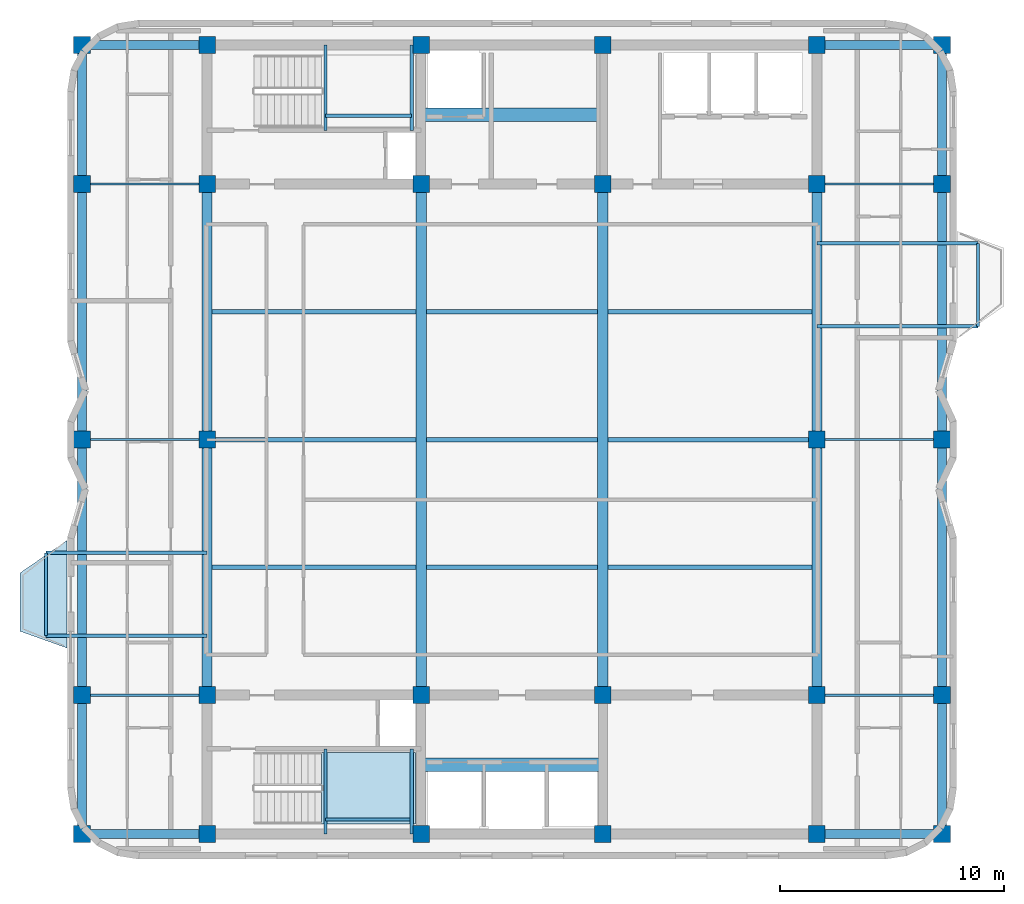
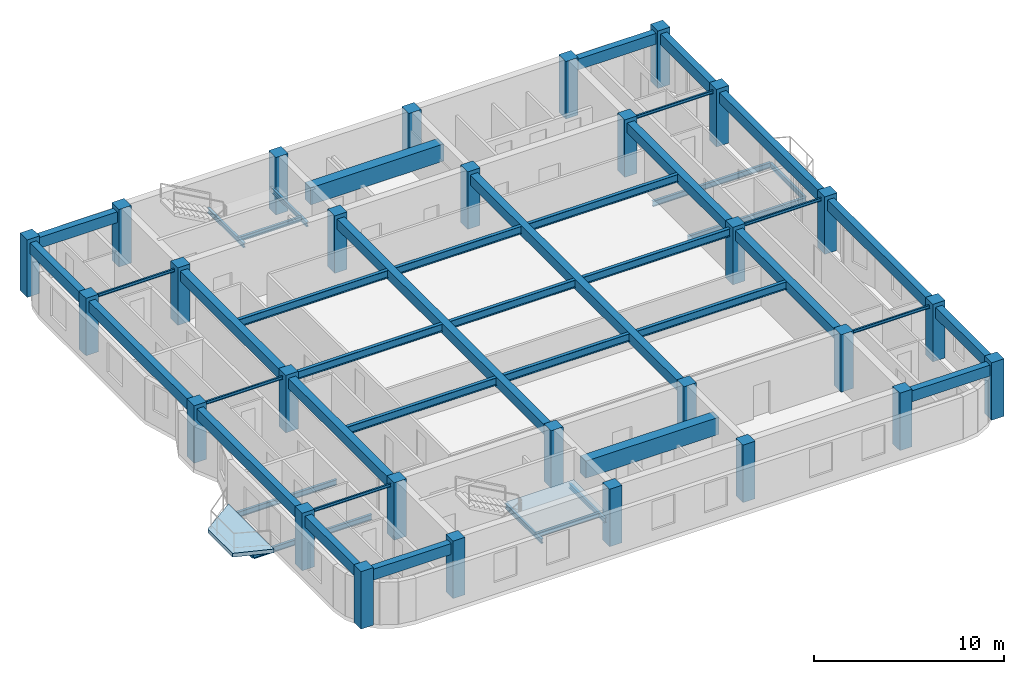
# One storey, part 1 of 8: 47 beams, 28 columns, 2 slabs, 1 element without a shape of its own.
"""IFC4 building model written with IfcOpenShell, lengths in metres."""

from ifc_helpers import new_model, si_unit, direction, frame, origin, origin_2d, place, context, subcontext, project, spatial, polyline, rectangle, i_section, outline, extrude, material, layer, layer_set, material_profile, profile_set, type_object, element, aggregate, save


model = new_model("IFC4")

# Units and contexts
model_context = context("Model", 3, precision=1e-05, world=origin(), true_north=direction((0.0, 1.0)))
body_context = subcontext(model_context, "Body", "Model", "MODEL_VIEW")
ifc_project = project(units=[si_unit("LENGTHUNIT", "METRE"), si_unit("AREAUNIT", "SQUARE_METRE"), si_unit("VOLUMEUNIT", "CUBIC_METRE"), si_unit("PLANEANGLEUNIT", "RADIAN"), si_unit("MASSUNIT", "GRAM", prefix="KILO")], contexts=[model_context])

# Site, building, storey
site_placement = place(None, origin())
site = spatial("IfcSite", under=ifc_project, at=site_placement, CompositionType="ELEMENT")
building_placement = place(site_placement, origin())
building = spatial("IfcBuilding", under=site, at=building_placement, Name="Svetorya Sky Lyceum", CompositionType="ELEMENT")
storey_placement = place(building_placement, frame((0.0, 0.0, 286.10009765625)))
storey = spatial("IfcBuildingStorey", under=building, at=storey_placement, Name="L72", CompositionType="ELEMENT", Elevation=286.10009765625)

# Columns
ifc_material_1 = material(Name="Concrete C40/50", Category="concrete")
ifc_material_profile_1 = material_profile(ifc_material_1, rectangle(XDim=0.75, YDim=0.75, at=origin_2d()), Name="RC COL 750x750")
ifc_profile_set_1 = profile_set([ifc_material_profile_1], Name="Concrete C40/50")
column_type = type_object("IfcColumnType", Name="COL-RC-750", PredefinedType="COLUMN", material=ifc_profile_set_1)
for number, where, z_axis, x_axis, name in (
    (1, (25.60009765625, 10.60009765625, 0.0), (0.0, 0.0, 1.0), (1.0, 0.0, 0.0), "L72 Core Column CS-11"),
    (2, (25.60009765625, 16.800048828125, 0.0), (0.0, 0.0, 1.0), (1.0, 0.0, 0.0), "L72 Core Column CS-12"),
    (3, (35.14990234375, 10.60009765625, 0.0), (0.0, 0.0, 1.0), (1.0, 0.0, 0.0), "L72 Core Column CS-21"),
    (4, (35.14990234375, 16.800048828125, 0.0), (0.0, 0.0, 1.0), (1.0, 0.0, 0.0), "L72 Core Column CS-22"),
    (5, (43.25, 10.60009765625, 0.0), (0.0, 0.0, 1.0), (1.0, 0.0, 0.0), "L72 Core Column CS-31"),
    (6, (43.25, 16.800048828125, 0.0), (0.0, 0.0, 1.0), (1.0, 0.0, 0.0), "L72 Core Column CS-32"),
    (7, (52.800048828125, 10.60009765625, 0.0), (0.0, 0.0, 1.0), (1.0, 0.0, 0.0), "L72 Core Column CS-41"),
    (8, (52.800048828125, 16.800048828125, 0.0), (0.0, 0.0, 1.0), (1.0, 0.0, 0.0), "L72 Core Column CS-42"),
    (9, (25.60009765625, 39.60009765625, 0.0), (0.0, 0.0, 1.0), (1.0, 0.0, 0.0), "L72 Core Column CN-11"),
    (10, (25.60009765625, 45.800048828125, 0.0), (0.0, 0.0, 1.0), (1.0, 0.0, 0.0), "L72 Core Column CN-12"),
    (11, (35.14990234375, 39.60009765625, 0.0), (0.0, 0.0, 1.0), (1.0, 0.0, 0.0), "L72 Core Column CN-21"),
    (12, (35.14990234375, 45.800048828125, 0.0), (0.0, 0.0, 1.0), (1.0, 0.0, 0.0), "L72 Core Column CN-22"),
    (13, (43.25, 39.60009765625, 0.0), (0.0, 0.0, 1.0), (1.0, 0.0, 0.0), "L72 Core Column CN-31"),
    (14, (43.25, 45.800048828125, 0.0), (0.0, 0.0, 1.0), (1.0, 0.0, 0.0), "L72 Core Column CN-32"),
    (15, (52.800048828125, 39.60009765625, 0.0), (0.0, 0.0, 1.0), (1.0, 0.0, 0.0), "L72 Core Column CN-41"),
    (16, (52.800048828125, 45.800048828125, 0.0), (0.0, 0.0, 1.0), (1.0, 0.0, 0.0), "L72 Core Column CN-42"),
    (17, (25.60009765625, 28.199951171875, 0.0), (0.0, 0.0, 1.0), (1.0, 0.0, 0.0), "L72 Core Column CM-W"),
    (18, (52.800048828125, 28.199951171875, 0.0), (0.0, 0.0, 1.0), (1.0, 0.0, 0.0), "L72 Core Column CM-E"),
    (19, (20.010009765625, 10.60009765625, 0.0), (0.0, 0.0, 1.0), (1.0, 0.0, 0.0), "L72 Perimeter Column W1"),
    (20, (58.389892578125, 10.60009765625, 0.0), (0.0, 0.0, 1.0), (1.0, 0.0, 0.0), "L72 Perimeter Column E1"),
    (21, (20.010009765625, 16.800048828125, 0.0), (0.0, 0.0, 1.0), (1.0, 0.0, 0.0), "L72 Perimeter Column W2"),
    (22, (58.389892578125, 16.800048828125, 0.0), (0.0, 0.0, 1.0), (1.0, 0.0, 0.0), "L72 Perimeter Column E2"),
    (23, (20.010009765625, 28.199951171875, 0.0), (0.0, 0.0, 1.0), (1.0, 0.0, 0.0), "L72 Perimeter Column W3"),
    (24, (58.389892578125, 28.199951171875, 0.0), (0.0, 0.0, 1.0), (1.0, 0.0, 0.0), "L72 Perimeter Column E3"),
    (25, (20.010009765625, 39.60009765625, 0.0), (0.0, 0.0, 1.0), (1.0, 0.0, 0.0), "L72 Perimeter Column W4"),
    (26, (58.389892578125, 39.60009765625, 0.0), (0.0, 0.0, 1.0), (1.0, 0.0, 0.0), "L72 Perimeter Column E4"),
    (27, (20.010009765625, 45.800048828125, 0.0), (0.0, 0.0, 1.0), (1.0, 0.0, 0.0), "L72 Perimeter Column W5"),
    (28, (58.389892578125, 45.800048828125, 0.0), (0.0, 0.0, 1.0), (1.0, 0.0, 0.0), "L72 Perimeter Column E5"),
):
    element("IfcColumn", number, at=place(storey_placement, frame(where, z_axis=z_axis, x_axis=x_axis)), inside=storey, type_object=column_type, Name=name, PredefinedType="COLUMN", context=body_context, shape_type="SweptSolid", body=[
        extrude(rectangle(XDim=0.75, YDim=0.75, at=origin_2d()), origin(), (0.0, 0.0, 1.0), 3.699951171875),
    ])

# Beams
ifc_material_2 = material(Name="Concrete C60/75", Category="concrete")
ifc_material_profile_2 = material_profile(ifc_material_2, rectangle(XDim=0.60009765625, YDim=1.10009765625, at=origin_2d()), Name="RC COUPLING 600x1100")
ifc_profile_set_2 = profile_set([ifc_material_profile_2], Name="Concrete C60/75")
beam_type_1 = type_object("IfcBeamType", Name="BM-CPL-1100", PredefinedType="LINTEL", material=ifc_profile_set_2)
for number, where, z_axis, x_axis, name in (
    (29, (35.14990234375, 13.699951171875, 2.89990234375), (1.0, 0.0, 0.0), (0.0, 1.0, 0.0), "L72 SC Core Coupling Beam"),
    (30, (35.14990234375, 42.699951171875, 2.89990234375), (1.0, 0.0, 0.0), (0.0, 1.0, 0.0), "L72 NC Core Coupling Beam"),
):
    element("IfcBeam", number, at=place(storey_placement, frame(where, z_axis=z_axis, x_axis=x_axis)), inside=storey, type_object=beam_type_1, Name=name, PredefinedType="LINTEL", context=body_context, shape_type="SweptSolid", body=[
        extrude(rectangle(XDim=0.60009765625, YDim=1.10009765625, at=origin_2d()), origin(), (0.0, 0.0, 1.0), 8.10009765625),
    ])
ifc_material_profile_3 = material_profile(ifc_material_1, rectangle(XDim=0.449951171875, YDim=0.64990234375, at=origin_2d()), Name="RC BEAM 450x650")
ifc_profile_set_3 = profile_set([ifc_material_profile_3], Name="Concrete C40/50")
beam_type_2 = type_object("IfcBeamType", Name="BM-RC-650", PredefinedType="BEAM", material=ifc_profile_set_3)
beam_1_placement = place(storey_placement, frame((25.60009765625, 16.800048828125, 3.125), z_axis=(0.0, 1.0, 0.0), x_axis=(-1.0, 0.0, 0.0)))
element("IfcBeam", 31, at=beam_1_placement, inside=storey, type_object=beam_type_2, Name="L72 Central Bay Primary Girder CG-1A", PredefinedType="BEAM", context=body_context, shape_type="SweptSolid", body=[
    extrude(rectangle(XDim=0.449951171875, YDim=0.64990234375, at=origin_2d()), origin(), (0.0, 0.0, 1.0), 11.39990234375),
])
beam_2_placement = place(storey_placement, frame((25.60009765625, 28.199951171875, 3.125), z_axis=(0.0, 1.0, 0.0), x_axis=(-1.0, 0.0, 0.0)))
element("IfcBeam", 32, at=beam_2_placement, inside=storey, type_object=beam_type_2, Name="L72 Central Bay Primary Girder CG-1B", PredefinedType="BEAM", context=body_context, shape_type="SweptSolid", body=[
    extrude(rectangle(XDim=0.449951171875, YDim=0.64990234375, at=origin_2d()), origin(), (0.0, 0.0, 1.0), 11.400146484375),
])
for number, where, z_axis, x_axis, name in (
    (33, (35.14990234375, 16.800048828125, 3.125), (0.0, 1.0, 0.0), (-1.0, 0.0, 0.0), "L72 Central Bay Primary Girder CG-2"),
    (34, (43.25, 16.800048828125, 3.125), (0.0, 1.0, 0.0), (-1.0, 0.0, 0.0), "L72 Central Bay Primary Girder CG-3"),
):
    element("IfcBeam", number, at=place(storey_placement, frame(where, z_axis=z_axis, x_axis=x_axis)), inside=storey, type_object=beam_type_2, Name=name, PredefinedType="BEAM", context=body_context, shape_type="SweptSolid", body=[
        extrude(rectangle(XDim=0.449951171875, YDim=0.64990234375, at=origin_2d()), origin(), (0.0, 0.0, 1.0), 22.800048828125),
    ])
beam_3_placement = place(storey_placement, frame((52.800048828125, 16.800048828125, 3.125), z_axis=(0.0, 1.0, 0.0), x_axis=(-1.0, 0.0, 0.0)))
element("IfcBeam", 35, at=beam_3_placement, inside=storey, type_object=beam_type_2, Name="L72 Central Bay Primary Girder CG-4A", PredefinedType="BEAM", context=body_context, shape_type="SweptSolid", body=[
    extrude(rectangle(XDim=0.449951171875, YDim=0.64990234375, at=origin_2d()), origin(), (0.0, 0.0, 1.0), 11.39990234375),
])
beam_4_placement = place(storey_placement, frame((52.800048828125, 28.199951171875, 3.125), z_axis=(0.0, 1.0, 0.0), x_axis=(-1.0, 0.0, 0.0)))
element("IfcBeam", 36, at=beam_4_placement, inside=storey, type_object=beam_type_2, Name="L72 Central Bay Primary Girder CG-4B", PredefinedType="BEAM", context=body_context, shape_type="SweptSolid", body=[
    extrude(rectangle(XDim=0.449951171875, YDim=0.64990234375, at=origin_2d()), origin(), (0.0, 0.0, 1.0), 11.400146484375),
])
ifc_material_3 = material(Name="Concrete C50/60", Category="concrete")
ifc_material_profile_4 = material_profile(ifc_material_3, rectangle(XDim=0.39990234375, YDim=0.699951171875, at=origin_2d()), Name="RC SPANDREL 400x700")
ifc_profile_set_4 = profile_set([ifc_material_profile_4], Name="Concrete C50/60")
beam_type_3 = type_object("IfcBeamType", Name="BM-SPN-700", PredefinedType="SPANDREL", material=ifc_profile_set_4)
for number, where, z_axis, x_axis, name in (
    (37, (20.010009765625, 10.60009765625, 3.099853515625), (1.0, 0.0, 0.0), (0.0, 1.0, 0.0), "L72 Tie Spandrel SW"),
    (38, (20.010009765625, 45.800048828125, 3.099853515625), (1.0, 0.0, 0.0), (0.0, 1.0, 0.0), "L72 Tie Spandrel NW"),
):
    element("IfcBeam", number, at=place(storey_placement, frame(where, z_axis=z_axis, x_axis=x_axis)), inside=storey, type_object=beam_type_3, Name=name, PredefinedType="SPANDREL", context=body_context, shape_type="SweptSolid", body=[
        extrude(rectangle(XDim=0.39990234375, YDim=0.699951171875, at=origin_2d()), origin(), (0.0, 0.0, 1.0), 5.590087890625),
    ])
for number, where, z_axis, x_axis, name in (
    (39, (52.800048828125, 10.60009765625, 3.099853515625), (1.0, 0.0, 0.0), (0.0, 1.0, 0.0), "L72 Tie Spandrel SE"),
    (40, (52.800048828125, 45.800048828125, 3.099853515625), (1.0, 0.0, 0.0), (0.0, 1.0, 0.0), "L72 Tie Spandrel NE"),
):
    element("IfcBeam", number, at=place(storey_placement, frame(where, z_axis=z_axis, x_axis=x_axis)), inside=storey, type_object=beam_type_3, Name=name, PredefinedType="SPANDREL", context=body_context, shape_type="SweptSolid", body=[
        extrude(rectangle(XDim=0.39990234375, YDim=0.699951171875, at=origin_2d()), origin(), (0.0, 0.0, 1.0), 5.58984375),
    ])
beam_5_placement = place(storey_placement, frame((20.010009765625, 10.60009765625, 3.099853515625), z_axis=(0.0, 1.0, 0.0), x_axis=(-1.0, 0.0, 0.0)))
element("IfcBeam", 41, at=beam_5_placement, inside=storey, type_object=beam_type_3, Name="L72 West Spandrel 1", PredefinedType="SPANDREL", context=body_context, shape_type="SweptSolid", body=[
    extrude(rectangle(XDim=0.39990234375, YDim=0.699951171875, at=origin_2d()), origin(), (0.0, 0.0, 1.0), 6.199951171875),
])
beam_6_placement = place(storey_placement, frame((20.010009765625, 16.800048828125, 3.099853515625), z_axis=(0.0, 1.0, 0.0), x_axis=(-1.0, 0.0, 0.0)))
element("IfcBeam", 42, at=beam_6_placement, inside=storey, type_object=beam_type_3, Name="L72 West Spandrel 2", PredefinedType="SPANDREL", context=body_context, shape_type="SweptSolid", body=[
    extrude(rectangle(XDim=0.39990234375, YDim=0.699951171875, at=origin_2d()), origin(), (0.0, 0.0, 1.0), 11.39990234375),
])
beam_7_placement = place(storey_placement, frame((20.010009765625, 28.199951171875, 3.099853515625), z_axis=(0.0, 1.0, 0.0), x_axis=(-1.0, 0.0, 0.0)))
element("IfcBeam", 43, at=beam_7_placement, inside=storey, type_object=beam_type_3, Name="L72 West Spandrel 3", PredefinedType="SPANDREL", context=body_context, shape_type="SweptSolid", body=[
    extrude(rectangle(XDim=0.39990234375, YDim=0.699951171875, at=origin_2d()), origin(), (0.0, 0.0, 1.0), 11.400146484375),
])
for number, where, z_axis, x_axis, name in (
    (44, (20.010009765625, 39.60009765625, 3.099853515625), (0.0, 1.0, 0.0), (-1.0, 0.0, 0.0), "L72 West Spandrel 4"),
    (45, (58.389892578125, 10.60009765625, 3.099853515625), (0.0, 1.0, 0.0), (-1.0, 0.0, 0.0), "L72 East Spandrel 1"),
):
    element("IfcBeam", number, at=place(storey_placement, frame(where, z_axis=z_axis, x_axis=x_axis)), inside=storey, type_object=beam_type_3, Name=name, PredefinedType="SPANDREL", context=body_context, shape_type="SweptSolid", body=[
        extrude(rectangle(XDim=0.39990234375, YDim=0.699951171875, at=origin_2d()), origin(), (0.0, 0.0, 1.0), 6.199951171875),
    ])
beam_8_placement = place(storey_placement, frame((58.389892578125, 16.800048828125, 3.099853515625), z_axis=(0.0, 1.0, 0.0), x_axis=(-1.0, 0.0, 0.0)))
element("IfcBeam", 46, at=beam_8_placement, inside=storey, type_object=beam_type_3, Name="L72 East Spandrel 2", PredefinedType="SPANDREL", context=body_context, shape_type="SweptSolid", body=[
    extrude(rectangle(XDim=0.39990234375, YDim=0.699951171875, at=origin_2d()), origin(), (0.0, 0.0, 1.0), 11.39990234375),
])
beam_9_placement = place(storey_placement, frame((58.389892578125, 28.199951171875, 3.099853515625), z_axis=(0.0, 1.0, 0.0), x_axis=(-1.0, 0.0, 0.0)))
element("IfcBeam", 47, at=beam_9_placement, inside=storey, type_object=beam_type_3, Name="L72 East Spandrel 3", PredefinedType="SPANDREL", context=body_context, shape_type="SweptSolid", body=[
    extrude(rectangle(XDim=0.39990234375, YDim=0.699951171875, at=origin_2d()), origin(), (0.0, 0.0, 1.0), 11.400146484375),
])
beam_10_placement = place(storey_placement, frame((58.389892578125, 39.60009765625, 3.099853515625), z_axis=(0.0, 1.0, 0.0), x_axis=(-1.0, 0.0, 0.0)))
element("IfcBeam", 48, at=beam_10_placement, inside=storey, type_object=beam_type_3, Name="L72 East Spandrel 4", PredefinedType="SPANDREL", context=body_context, shape_type="SweptSolid", body=[
    extrude(rectangle(XDim=0.39990234375, YDim=0.699951171875, at=origin_2d()), origin(), (0.0, 0.0, 1.0), 6.199951171875),
])
ifc_material_4 = material(Name="Steel S355", Category="steel")
ifc_material_profile_5 = material_profile(ifc_material_4, i_section(OverallWidth=0.10009765625, OverallDepth=0.199951171875, WebThickness=0.005615234375, FlangeThickness=0.008544921875, at=origin_2d()), Name="GOST 20B1")
ifc_profile_set_5 = profile_set([ifc_material_profile_5], Name="Steel S355")
beam_type_4 = type_object("IfcBeamType", Name="BM-STL-20B1", PredefinedType="JOIST", material=ifc_profile_set_5)
beam_11_placement = place(storey_placement, frame((20.010009765625, 16.800048828125, 3.349853515625), z_axis=(1.0, 0.0, 0.0), x_axis=(0.0, 1.0, 0.0)))
element("IfcBeam", 49, at=beam_11_placement, inside=storey, type_object=beam_type_4, Name="L72 West Wing Floor Joist W2", PredefinedType="JOIST", context=body_context, shape_type="SweptSolid", body=[
    extrude(i_section(OverallWidth=0.10009765625, OverallDepth=0.199951171875, WebThickness=0.005615234375, FlangeThickness=0.008544921875, at=origin_2d()), origin(), (0.0, 0.0, 1.0), 5.590087890625),
])
beam_12_placement = place(storey_placement, frame((52.800048828125, 16.800048828125, 3.349853515625), z_axis=(1.0, 0.0, 0.0), x_axis=(0.0, 1.0, 0.0)))
element("IfcBeam", 50, at=beam_12_placement, inside=storey, type_object=beam_type_4, Name="L72 East Wing Floor Joist E2", PredefinedType="JOIST", context=body_context, shape_type="SweptSolid", body=[
    extrude(i_section(OverallWidth=0.10009765625, OverallDepth=0.199951171875, WebThickness=0.005615234375, FlangeThickness=0.008544921875, at=origin_2d()), origin(), (0.0, 0.0, 1.0), 5.58984375),
])
beam_13_placement = place(storey_placement, frame((20.010009765625, 28.199951171875, 3.349853515625), z_axis=(1.0, 0.0, 0.0), x_axis=(0.0, 1.0, 0.0)))
element("IfcBeam", 51, at=beam_13_placement, inside=storey, type_object=beam_type_4, Name="L72 West Wing Floor Joist W3", PredefinedType="JOIST", context=body_context, shape_type="SweptSolid", body=[
    extrude(i_section(OverallWidth=0.10009765625, OverallDepth=0.199951171875, WebThickness=0.005615234375, FlangeThickness=0.008544921875, at=origin_2d()), origin(), (0.0, 0.0, 1.0), 5.590087890625),
])
beam_14_placement = place(storey_placement, frame((52.800048828125, 28.199951171875, 3.349853515625), z_axis=(1.0, 0.0, 0.0), x_axis=(0.0, 1.0, 0.0)))
element("IfcBeam", 52, at=beam_14_placement, inside=storey, type_object=beam_type_4, Name="L72 East Wing Floor Joist E3", PredefinedType="JOIST", context=body_context, shape_type="SweptSolid", body=[
    extrude(i_section(OverallWidth=0.10009765625, OverallDepth=0.199951171875, WebThickness=0.005615234375, FlangeThickness=0.008544921875, at=origin_2d()), origin(), (0.0, 0.0, 1.0), 5.58984375),
])
beam_15_placement = place(storey_placement, frame((20.010009765625, 39.60009765625, 3.349853515625), z_axis=(1.0, 0.0, 0.0), x_axis=(0.0, 1.0, 0.0)))
element("IfcBeam", 53, at=beam_15_placement, inside=storey, type_object=beam_type_4, Name="L72 West Wing Floor Joist W4", PredefinedType="JOIST", context=body_context, shape_type="SweptSolid", body=[
    extrude(i_section(OverallWidth=0.10009765625, OverallDepth=0.199951171875, WebThickness=0.005615234375, FlangeThickness=0.008544921875, at=origin_2d()), origin(), (0.0, 0.0, 1.0), 5.590087890625),
])
beam_16_placement = place(storey_placement, frame((52.800048828125, 39.60009765625, 3.349853515625), z_axis=(1.0, 0.0, 0.0), x_axis=(0.0, 1.0, 0.0)))
element("IfcBeam", 54, at=beam_16_placement, inside=storey, type_object=beam_type_4, Name="L72 East Wing Floor Joist E4", PredefinedType="JOIST", context=body_context, shape_type="SweptSolid", body=[
    extrude(i_section(OverallWidth=0.10009765625, OverallDepth=0.199951171875, WebThickness=0.005615234375, FlangeThickness=0.008544921875, at=origin_2d()), origin(), (0.0, 0.0, 1.0), 5.58984375),
])
ifc_material_profile_6 = material_profile(ifc_material_4, i_section(OverallWidth=0.14990234375, OverallDepth=0.299072265625, WebThickness=0.006591796875, FlangeThickness=0.010498046875, at=origin_2d()), Name="GOST 30B2")
ifc_profile_set_6 = profile_set([ifc_material_profile_6], Name="Steel S355")
beam_type_5 = type_object("IfcBeamType", Name="BM-STL-30B2", PredefinedType="JOIST", material=ifc_profile_set_6)
for number, where, z_axis, x_axis, name in (
    (55, (18.409912109375, 19.449951171875, -0.424560546875), (0.0, 1.0, 0.0), (-1.0, 0.0, 0.0), "L72 Balcony Edge Tie BAL-W1"),
    (56, (59.989990234375, 33.25, -0.424560546875), (0.0, 1.0, 0.0), (-1.0, 0.0, 0.0), "L72 Balcony Edge Tie BAL-E1"),
):
    element("IfcBeam", number, at=place(storey_placement, frame(where, z_axis=z_axis, x_axis=x_axis)), inside=storey, type_object=beam_type_5, Name=name, PredefinedType="JOIST", context=body_context, shape_type="SweptSolid", body=[
        extrude(i_section(OverallWidth=0.14990234375, OverallDepth=0.299072265625, WebThickness=0.006591796875, FlangeThickness=0.010498046875, at=origin_2d()), origin(), (0.0, 0.0, 1.0), 3.699951171875),
    ])
for number, where, z_axis, x_axis, name in (
    (57, (30.8798828125, 10.60009765625, 1.50048828125), (0.0, 1.0, 0.0), (-1.0, 0.0, 0.0), "L72 Stair ST-S Half-Landing Support Beam 80.1"),
    (58, (34.719970703125, 10.60009765625, 1.50048828125), (0.0, 1.0, 0.0), (-1.0, 0.0, 0.0), "L72 Stair ST-S Half-Landing Support Beam 80.2"),
):
    element("IfcBeam", number, at=place(storey_placement, frame(where, z_axis=z_axis, x_axis=x_axis)), inside=storey, type_object=beam_type_5, Name=name, PredefinedType="JOIST", context=body_context, shape_type="SweptSolid", body=[
        extrude(i_section(OverallWidth=0.14990234375, OverallDepth=0.299072265625, WebThickness=0.006591796875, FlangeThickness=0.010498046875, at=origin_2d()), origin(), (0.0, 0.0, 1.0), 3.7998046875),
    ])
beam_17_placement = place(storey_placement, frame((30.8798828125, 11.25, 1.50048828125), z_axis=(1.0, 0.0, 0.0), x_axis=(0.0, 1.0, 0.0)))
element("IfcBeam", 59, at=beam_17_placement, inside=storey, type_object=beam_type_5, Name="L72 Stair ST-S Half-Landing Cross Tie 80", PredefinedType="JOIST", context=body_context, shape_type="SweptSolid", body=[
    extrude(i_section(OverallWidth=0.14990234375, OverallDepth=0.299072265625, WebThickness=0.006591796875, FlangeThickness=0.010498046875, at=origin_2d()), origin(), (0.0, 0.0, 1.0), 3.840087890625),
])
for number, where, z_axis, x_axis, name in (
    (60, (30.8798828125, 42.0, 1.50048828125), (0.0, 1.0, 0.0), (-1.0, 0.0, 0.0), "L72 Stair ST-N Half-Landing Support Beam 80.1"),
    (61, (34.719970703125, 42.0, 1.50048828125), (0.0, 1.0, 0.0), (-1.0, 0.0, 0.0), "L72 Stair ST-N Half-Landing Support Beam 80.2"),
):
    element("IfcBeam", number, at=place(storey_placement, frame(where, z_axis=z_axis, x_axis=x_axis)), inside=storey, type_object=beam_type_5, Name=name, PredefinedType="JOIST", context=body_context, shape_type="SweptSolid", body=[
        extrude(i_section(OverallWidth=0.14990234375, OverallDepth=0.299072265625, WebThickness=0.006591796875, FlangeThickness=0.010498046875, at=origin_2d()), origin(), (0.0, 0.0, 1.0), 3.800048828125),
    ])
beam_18_placement = place(storey_placement, frame((30.8798828125, 42.64990234375, 1.50048828125), z_axis=(1.0, 0.0, 0.0), x_axis=(0.0, 1.0, 0.0)))
element("IfcBeam", 62, at=beam_18_placement, inside=storey, type_object=beam_type_5, Name="L72 Stair ST-N Half-Landing Cross Tie 80", PredefinedType="JOIST", context=body_context, shape_type="SweptSolid", body=[
    extrude(i_section(OverallWidth=0.14990234375, OverallDepth=0.299072265625, WebThickness=0.006591796875, FlangeThickness=0.010498046875, at=origin_2d()), origin(), (0.0, 0.0, 1.0), 3.840087890625),
])
ifc_material_profile_7 = material_profile(ifc_material_4, i_section(OverallWidth=0.155029296875, OverallDepth=0.34912109375, WebThickness=0.007080078125, FlangeThickness=0.011474609375, at=origin_2d()), Name="GOST 35B2")
ifc_profile_set_7 = profile_set([ifc_material_profile_7], Name="Steel S355")
beam_type_6 = type_object("IfcBeamType", Name="BM-STL-35B2", PredefinedType="JOIST", material=ifc_profile_set_7)
for number, where, z_axis, x_axis, name in (
    (63, (25.60009765625, 19.449951171875, -0.424560546875), (-1.0, 0.0, 0.0), (0.0, -1.0, 0.0), "L72 Balcony Cantilever Beam BAL-W1-1"),
    (64, (25.60009765625, 23.14990234375, -0.424560546875), (-1.0, 0.0, 0.0), (0.0, -1.0, 0.0), "L72 Balcony Cantilever Beam BAL-W1-2"),
):
    element("IfcBeam", number, at=place(storey_placement, frame(where, z_axis=z_axis, x_axis=x_axis)), inside=storey, type_object=beam_type_6, Name=name, PredefinedType="JOIST", context=body_context, shape_type="SweptSolid", body=[
        extrude(i_section(OverallWidth=0.155029296875, OverallDepth=0.34912109375, WebThickness=0.007080078125, FlangeThickness=0.011474609375, at=origin_2d()), origin(), (0.0, 0.0, 1.0), 7.190185546875),
    ])
for number, where, z_axis, x_axis, name in (
    (65, (52.800048828125, 33.25, -0.424560546875), (1.0, 0.0, 0.0), (0.0, 1.0, 0.0), "L72 Balcony Cantilever Beam BAL-E1-1"),
    (66, (52.800048828125, 36.949951171875, -0.424560546875), (1.0, 0.0, 0.0), (0.0, 1.0, 0.0), "L72 Balcony Cantilever Beam BAL-E1-2"),
):
    element("IfcBeam", number, at=place(storey_placement, frame(where, z_axis=z_axis, x_axis=x_axis)), inside=storey, type_object=beam_type_6, Name=name, PredefinedType="JOIST", context=body_context, shape_type="SweptSolid", body=[
        extrude(i_section(OverallWidth=0.155029296875, OverallDepth=0.34912109375, WebThickness=0.007080078125, FlangeThickness=0.011474609375, at=origin_2d()), origin(), (0.0, 0.0, 1.0), 7.18994140625),
    ])
ifc_material_profile_8 = material_profile(ifc_material_4, i_section(OverallWidth=0.198974609375, OverallDepth=0.498046875, WebThickness=0.010009765625, FlangeThickness=0.01611328125, at=origin_2d()), Name="GOST 50B2")
ifc_profile_set_8 = profile_set([ifc_material_profile_8], Name="Steel S355")
beam_type_7 = type_object("IfcBeamType", Name="BM-STL-50B2", PredefinedType="BEAM", material=ifc_profile_set_8)
beam_19_placement = place(storey_placement, frame((25.824951171875, 22.5, 3.200927734375), z_axis=(1.0, 0.0, 0.0), x_axis=(0.0, 1.0, 0.0)))
element("IfcBeam", 67, at=beam_19_placement, inside=storey, type_object=beam_type_7, Name="L72 Central Floor Joist CJ-1.1", PredefinedType="BEAM", context=body_context, shape_type="SweptSolid", body=[
    extrude(i_section(OverallWidth=0.198974609375, OverallDepth=0.498046875, WebThickness=0.010009765625, FlangeThickness=0.01611328125, at=origin_2d()), origin(), (0.0, 0.0, 1.0), 9.10009765625),
])
beam_20_placement = place(storey_placement, frame((35.375, 22.5, 3.200927734375), z_axis=(1.0, 0.0, 0.0), x_axis=(0.0, 1.0, 0.0)))
element("IfcBeam", 68, at=beam_20_placement, inside=storey, type_object=beam_type_7, Name="L72 Central Floor Joist CJ-1.2", PredefinedType="BEAM", context=body_context, shape_type="SweptSolid", body=[
    extrude(i_section(OverallWidth=0.198974609375, OverallDepth=0.498046875, WebThickness=0.010009765625, FlangeThickness=0.01611328125, at=origin_2d()), origin(), (0.0, 0.0, 1.0), 7.64990234375),
])
beam_21_placement = place(storey_placement, frame((43.47509765625, 22.5, 3.200927734375), z_axis=(1.0, 0.0, 0.0), x_axis=(0.0, 1.0, 0.0)))
element("IfcBeam", 69, at=beam_21_placement, inside=storey, type_object=beam_type_7, Name="L72 Central Floor Joist CJ-1.3", PredefinedType="BEAM", context=body_context, shape_type="SweptSolid", body=[
    extrude(i_section(OverallWidth=0.198974609375, OverallDepth=0.498046875, WebThickness=0.010009765625, FlangeThickness=0.01611328125, at=origin_2d()), origin(), (0.0, 0.0, 1.0), 9.099853515625),
])
beam_22_placement = place(storey_placement, frame((25.824951171875, 28.199951171875, 3.200927734375), z_axis=(1.0, 0.0, 0.0), x_axis=(0.0, 1.0, 0.0)))
element("IfcBeam", 70, at=beam_22_placement, inside=storey, type_object=beam_type_7, Name="L72 Central Floor Joist CJ-2.1", PredefinedType="BEAM", context=body_context, shape_type="SweptSolid", body=[
    extrude(i_section(OverallWidth=0.198974609375, OverallDepth=0.498046875, WebThickness=0.010009765625, FlangeThickness=0.01611328125, at=origin_2d()), origin(), (0.0, 0.0, 1.0), 9.10009765625),
])
beam_23_placement = place(storey_placement, frame((35.375, 28.199951171875, 3.200927734375), z_axis=(1.0, 0.0, 0.0), x_axis=(0.0, 1.0, 0.0)))
element("IfcBeam", 71, at=beam_23_placement, inside=storey, type_object=beam_type_7, Name="L72 Central Floor Joist CJ-2.2", PredefinedType="BEAM", context=body_context, shape_type="SweptSolid", body=[
    extrude(i_section(OverallWidth=0.198974609375, OverallDepth=0.498046875, WebThickness=0.010009765625, FlangeThickness=0.01611328125, at=origin_2d()), origin(), (0.0, 0.0, 1.0), 7.64990234375),
])
beam_24_placement = place(storey_placement, frame((43.47509765625, 28.199951171875, 3.200927734375), z_axis=(1.0, 0.0, 0.0), x_axis=(0.0, 1.0, 0.0)))
element("IfcBeam", 72, at=beam_24_placement, inside=storey, type_object=beam_type_7, Name="L72 Central Floor Joist CJ-2.3", PredefinedType="BEAM", context=body_context, shape_type="SweptSolid", body=[
    extrude(i_section(OverallWidth=0.198974609375, OverallDepth=0.498046875, WebThickness=0.010009765625, FlangeThickness=0.01611328125, at=origin_2d()), origin(), (0.0, 0.0, 1.0), 9.099853515625),
])
beam_25_placement = place(storey_placement, frame((25.824951171875, 33.89990234375, 3.200927734375), z_axis=(1.0, 0.0, 0.0), x_axis=(0.0, 1.0, 0.0)))
element("IfcBeam", 73, at=beam_25_placement, inside=storey, type_object=beam_type_7, Name="L72 Central Floor Joist CJ-3.1", PredefinedType="BEAM", context=body_context, shape_type="SweptSolid", body=[
    extrude(i_section(OverallWidth=0.198974609375, OverallDepth=0.498046875, WebThickness=0.010009765625, FlangeThickness=0.01611328125, at=origin_2d()), origin(), (0.0, 0.0, 1.0), 9.10009765625),
])
beam_26_placement = place(storey_placement, frame((35.375, 33.89990234375, 3.200927734375), z_axis=(1.0, 0.0, 0.0), x_axis=(0.0, 1.0, 0.0)))
element("IfcBeam", 74, at=beam_26_placement, inside=storey, type_object=beam_type_7, Name="L72 Central Floor Joist CJ-3.2", PredefinedType="BEAM", context=body_context, shape_type="SweptSolid", body=[
    extrude(i_section(OverallWidth=0.198974609375, OverallDepth=0.498046875, WebThickness=0.010009765625, FlangeThickness=0.01611328125, at=origin_2d()), origin(), (0.0, 0.0, 1.0), 7.64990234375),
])
beam_27_placement = place(storey_placement, frame((43.47509765625, 33.89990234375, 3.200927734375), z_axis=(1.0, 0.0, 0.0), x_axis=(0.0, 1.0, 0.0)))
element("IfcBeam", 75, at=beam_27_placement, inside=storey, type_object=beam_type_7, Name="L72 Central Floor Joist CJ-3.3", PredefinedType="BEAM", context=body_context, shape_type="SweptSolid", body=[
    extrude(i_section(OverallWidth=0.198974609375, OverallDepth=0.498046875, WebThickness=0.010009765625, FlangeThickness=0.01611328125, at=origin_2d()), origin(), (0.0, 0.0, 1.0), 9.099853515625),
])

# Slab
ifc_layer_1 = layer(ifc_material_1, 0.25)
ifc_layer_set_1 = layer_set([ifc_layer_1], Name="Concrete C40/50")
slab_type_1 = type_object("IfcSlabType", Name="SL-BAL-250", PredefinedType="FLOOR", material=ifc_layer_set_1)
slab_1_placement = place(storey_placement, frame((0.0, 0.0, -0.25)))
element("IfcSlab", 76, at=slab_1_placement, inside=storey, type_object=slab_type_1, Name="L72 Chamfered Loggia Balcony BAL-W1", PredefinedType="FLOOR", context=body_context, shape_type="SweptSolid", body=[
    extrude(outline(polyline([(19.35009765625, 18.89990234375), (19.35009765625, 23.699951171875), (17.25, 22.25), (17.25, 19.64990234375), (19.35009765625, 18.89990234375)])), origin(), (0.0, 0.0, 1.0), 0.25),
])

# Stair, slab
stair_type = type_object("IfcStairType", Name="STR-ST-S", PredefinedType="HALF_TURN_STAIR", material=ifc_material_1)
stair_placement = place(storey_placement, origin())
stair = element("IfcStair", 77, at=stair_placement, inside=storey, type_object=stair_type, Name="L72 South Core Smoke-Free Exit Stair N2", PredefinedType="HALF_TURN_STAIR")
ifc_layer_2 = layer(ifc_material_1, 0.199951171875)
ifc_layer_set_2 = layer_set([ifc_layer_2], Name="Concrete C40/50")
slab_type_2 = type_object("IfcSlabType", Name="SL-STR-LAND-200", PredefinedType="LANDING", material=ifc_layer_set_2)
slab_2_placement = place(storey_placement, frame((0.0, 0.0, 1.64990234375)))
slab_2 = element("IfcSlab", 78, at=slab_2_placement, type_object=slab_type_2, Name="ST-S landing 1", PredefinedType="LANDING", context=body_context, shape_type="SweptSolid", body=[
    extrude(outline(polyline([(30.699951171875, 11.050048828125), (34.89990234375, 11.050048828125), (34.89990234375, 14.25), (30.699951171875, 14.25), (30.699951171875, 11.050048828125)])), origin(), (0.0, 0.0, 1.0), 0.199951171875),
])
aggregate(stair, [slab_2])

save(model, "model.ifc")
